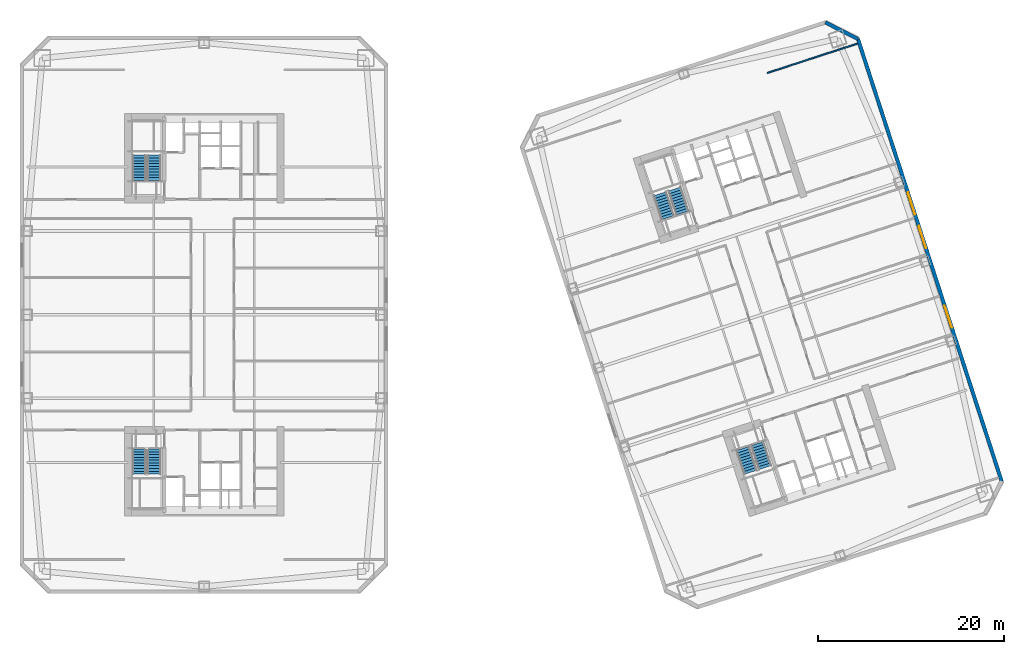
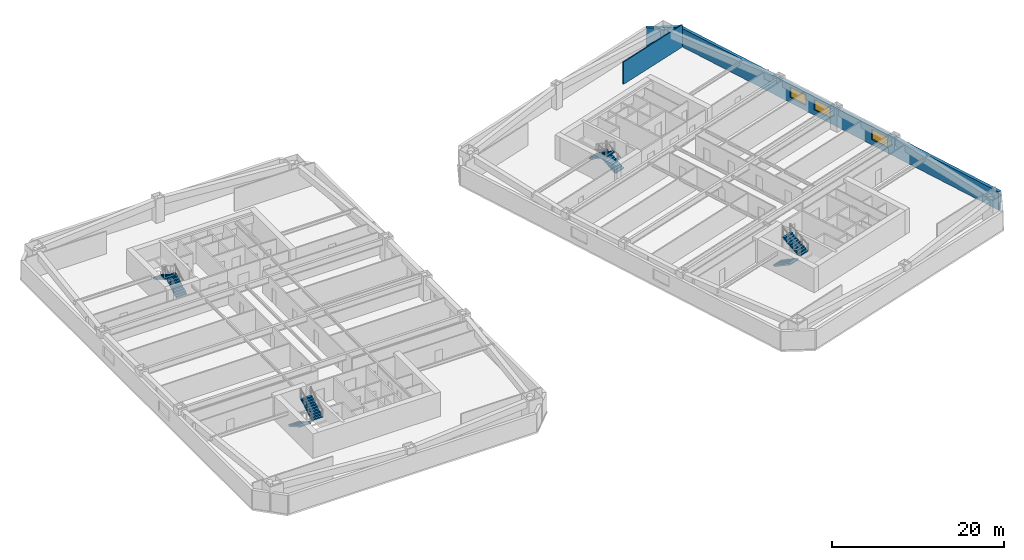
# One storey, part 9 of 11: 8 stair flights, 3 walls, 3 windows, 3 openings, 4 elements without a shape of their own.
"""IFC4 building model written with IfcOpenShell, lengths in metres."""

import ifcopenshell
import ifcopenshell.guid

model = None  # the IFC model being written
_history = None  # IfcOwnerHistory: only IFC2X3 demands one
_inside = {}  # id of a spatial element -> (the spatial element, [elements in it])
_under = {}  # id of a project, library or spatial element -> (it, [spatial elements below it])
_declared = {}  # id of a project -> (the project, [libraries it declares])
_typed = {}  # id of a type object -> (the type object, [elements of that type])
_made_of = {}  # id of a material, layer set ... -> (it, [elements and type objects made of it])


def new_model(schema):
    """Start an empty IFC model of exactly this schema.

    Asked for "IFC4X3", IfcOpenShell would pick the latest addendum, in which some entities
    have other attributes; the version numbers below select the first issue.
    IFC2X3 requires an IfcOwnerHistory on every rooted entity: one is made here for all.
    """
    global model, _history
    if schema == "IFC4X3":
        model = ifcopenshell.file(schema_version=(4, 3, 0, 0))
    else:
        model = ifcopenshell.file(schema=schema)
    _inside.clear()
    _under.clear()
    _declared.clear()
    _typed.clear()
    _made_of.clear()
    _history = None
    if model.schema == "IFC2X3":
        org = make("IfcOrganization", Name="unknown")
        user = make(
            "IfcPersonAndOrganization",
            ThePerson=make("IfcPerson", FamilyName="unknown"),
            TheOrganization=org,
        )
        app = make(
            "IfcApplication",
            ApplicationDeveloper=org,
            Version="unknown",
            ApplicationFullName="unknown",
            ApplicationIdentifier="unknown",
        )
        _history = make(
            "IfcOwnerHistory",
            OwningUser=user,
            OwningApplication=app,
            ChangeAction="ADDED",
            CreationDate=0,
        )
    return model


def make(cls, **values):
    """One entity of the class cls with the attributes given. An attribute that is None is left unset."""
    return model.create_entity(
        cls, **{name: value for name, value in values.items() if value is not None}
    )


def rooted(cls, **values):
    """An entity with a GlobalId (a new one), such as an element, a storey or a relation."""
    return make(cls, GlobalId=ifcopenshell.guid.new(), OwnerHistory=_history, **values)


def si_unit(unit_type, name, prefix=None):
    """IfcSIUnit, for example si_unit("LENGTHUNIT", "METRE", prefix="MILLI")."""
    return make("IfcSIUnit", UnitType=unit_type, Prefix=prefix, Name=name)


def assignment(units):
    """IfcUnitAssignment: the units of a project."""
    return None if units is None else make("IfcUnitAssignment", Units=units)


def point(xyz):
    """IfcCartesianPoint."""
    return None if xyz is None else make("IfcCartesianPoint", Coordinates=xyz)


def direction(xyz):
    """IfcDirection."""
    return None if xyz is None else make("IfcDirection", DirectionRatios=xyz)


def frame(location, z_axis=None, x_axis=None):
    """IfcAxis2Placement3D, a coordinate frame: its origin and axes. An axis left out is left unset."""
    return make(
        "IfcAxis2Placement3D",
        Location=point(location),
        Axis=direction(z_axis),
        RefDirection=direction(x_axis),
    )


def frame_2d(location, x_axis=None):
    """IfcAxis2Placement2D, a coordinate frame in the plane: its origin and x axis."""
    return make(
        "IfcAxis2Placement2D", Location=point(location), RefDirection=direction(x_axis)
    )


def origin():
    """The frame at (0, 0, 0) with its axes left unset."""
    return frame((0.0, 0.0, 0.0))


def place(relative_to, where):
    """IfcLocalPlacement: puts the frame where relative to a parent placement (None: the world)."""
    return make(
        "IfcLocalPlacement", PlacementRelTo=relative_to, RelativePlacement=where
    )


def context(
    kind, dimensions, precision=None, world=None, true_north=None, identifier=None
):
    """IfcGeometricRepresentationContext, for example the 3D "Model" context."""
    return make(
        "IfcGeometricRepresentationContext",
        ContextIdentifier=identifier,
        ContextType=kind,
        CoordinateSpaceDimension=dimensions,
        Precision=precision,
        WorldCoordinateSystem=world,
        TrueNorth=true_north,
    )


def subcontext(parent, identifier, kind, view, scale=None):
    """IfcGeometricRepresentationSubContext, for example "Body" below "Model"."""
    return make(
        "IfcGeometricRepresentationSubContext",
        ContextIdentifier=identifier,
        ContextType=kind,
        ParentContext=parent,
        TargetScale=scale,
        TargetView=view,
    )


def project(units=None, contexts=None):
    """IfcProject with its units and contexts."""
    return rooted(
        "IfcProject",
        Name="project",
        RepresentationContexts=contexts,
        UnitsInContext=assignment(units),
    )


def spatial(cls, under=None, at=None, **own):
    """A site, building, storey or space (cls), placed at a placement, below another one or the project."""
    s = rooted(cls, ObjectPlacement=at, **own)
    if under is not None:
        _under.setdefault(under.id(), (under, []))[1].append(s)
    return s


def polyline(points):
    """IfcPolyline through the points."""
    return make("IfcPolyline", Points=[point(p) for p in points])


def profile(cls, at=None, kind="AREA", **sizes):
    """A parametric profile (cls). Its sizes go by their IFC names, for example OverallWidth=200.0."""
    return make(cls, ProfileType=kind, Position=at, **sizes)


def rectangle(**sizes):
    """IfcRectangleProfileDef."""
    return profile("IfcRectangleProfileDef", **sizes)


def outline(outer, holes=None, kind="AREA"):
    """IfcArbitraryClosedProfileDef: a profile drawn as a closed curve; with holes, ...WithVoids."""
    if holes is None:
        return make("IfcArbitraryClosedProfileDef", ProfileType=kind, OuterCurve=outer)
    return make(
        "IfcArbitraryProfileDefWithVoids",
        ProfileType=kind,
        OuterCurve=outer,
        InnerCurves=holes,
    )


def extrude(swept, where, along, depth):
    """IfcExtrudedAreaSolid: the profile swept, set in the frame where, extruded along a direction by depth."""
    return make(
        "IfcExtrudedAreaSolid",
        SweptArea=swept,
        Position=where,
        ExtrudedDirection=direction(along),
        Depth=depth,
    )


def shape(context_of_items, identifier, shape_type, items):
    """IfcShapeRepresentation: the items that make up one representation, for example the "Body"."""
    return make(
        "IfcShapeRepresentation",
        ContextOfItems=context_of_items,
        RepresentationIdentifier=identifier,
        RepresentationType=shape_type,
        Items=items,
    )


def material(Name=None, Category=None):
    """IfcMaterial."""
    return make("IfcMaterial", Name=Name, Category=Category)


def layer(
    of_material, thickness, ventilated=None, Name=None, Category=None, Priority=None
):
    """IfcMaterialLayer: one layer of a wall or slab, of a material (None: an air gap)."""
    return make(
        "IfcMaterialLayer",
        Material=of_material,
        LayerThickness=thickness,
        IsVentilated=ventilated,
        Name=Name,
        Category=Category,
        Priority=Priority,
    )


def layer_set(layers, Name=None):
    """IfcMaterialLayerSet."""
    return make("IfcMaterialLayerSet", MaterialLayers=layers, LayerSetName=Name)


def made_of(thing, what):
    """Note that an element or type object is made of a material, layer set ...; save() writes the relation."""
    if what is not None:
        _made_of.setdefault(what.id(), (what, []))[1].append(thing)
    return thing


def type_object(cls, material=None, **own):
    """A type object (cls), such as IfcWallType, which elements share."""
    return made_of(rooted(cls, **own), material)


def element(
    cls,
    number,
    at=None,
    inside=None,
    cuts=None,
    type_object=None,
    material=None,
    context=None,
    identifier="Body",
    shape_type=None,
    held_by="IfcProductDefinitionShape",
    body=None,
    shapes=None,
    **own,
):
    """One element of the class cls, such as IfcWall. Its Tag is "e" and its number.

    at: its placement. inside: the storey or other place that contains it. cuts: it is an
    opening in that element (IfcRelVoidsElement). A single representation is given by context,
    identifier, shape_type and body (its items); several are given by shapes. held_by: the class
    of the entity that holds the representations. save() writes the other relations.
    """
    e = rooted(cls, Tag="e%d" % number, ObjectPlacement=at, **own)
    if body is not None:
        shapes = [shape(context, identifier, shape_type, body)]
    if shapes is not None:
        e.Representation = make(held_by, Representations=shapes)
    if inside is not None:
        _inside.setdefault(inside.id(), (inside, []))[1].append(e)
    if cuts is not None:
        rooted(
            "IfcRelVoidsElement", RelatingBuildingElement=cuts, RelatedOpeningElement=e
        )
    if type_object is not None:
        _typed.setdefault(type_object.id(), (type_object, []))[1].append(e)
    return made_of(e, material)


def fill(opening, filler):
    """IfcRelFillsElement: the door or window that sits in an opening."""
    return rooted(
        "IfcRelFillsElement",
        RelatingOpeningElement=opening,
        RelatedBuildingElement=filler,
    )


def aggregate(whole, parts):
    """IfcRelAggregates: a whole, such as a stair, and the parts it consists of."""
    return rooted("IfcRelAggregates", RelatingObject=whole, RelatedObjects=parts)


def save(model, path):
    """Write the relations noted so far, then the file.

    IfcRelAggregates (storeys below a building ...), IfcRelContainedInSpatialStructure (elements
    in a storey), IfcRelDefinesByType, IfcRelAssociatesMaterial and IfcRelDeclares: one each for
    every whole, place, type object, material and project.
    """
    for whole, parts in _under.values():
        aggregate(whole, parts)
    for where, things in _inside.values():
        rooted(
            "IfcRelContainedInSpatialStructure",
            RelatedElements=things,
            RelatingStructure=where,
        )
    for kind, things in _typed.values():
        rooted("IfcRelDefinesByType", RelatedObjects=things, RelatingType=kind)
    for what, things in _made_of.values():
        rooted("IfcRelAssociatesMaterial", RelatedObjects=things, RelatingMaterial=what)
    for by, libraries in _declared.values():
        rooted("IfcRelDeclares", RelatingContext=by, RelatedDefinitions=libraries)
    model.write(path)


model = new_model("IFC4")

# Units and contexts
model_context = context("Model", 3, precision=1e-05, world=origin(), true_north=direction((0.0, 1.0)))
body_context = subcontext(model_context, "Body", "Model", "MODEL_VIEW")
ifc_project = project(units=[si_unit("LENGTHUNIT", "METRE"), si_unit("AREAUNIT", "SQUARE_METRE"), si_unit("VOLUMEUNIT", "CUBIC_METRE"), si_unit("PLANEANGLEUNIT", "RADIAN"), si_unit("MASSUNIT", "GRAM", prefix="KILO")], contexts=[model_context])

# Site, building, storey
site_placement = place(None, origin())
site = spatial("IfcSite", under=ifc_project, at=site_placement, CompositionType="ELEMENT")
building_placement = place(site_placement, origin())
building = spatial("IfcBuilding", under=site, at=building_placement, Name="Qiaolan Cultural Towers", CompositionType="ELEMENT")
storey_placement = place(building_placement, frame((0.0, 0.0, 64.39990234375)))
storey = spatial("IfcBuildingStorey", under=building, at=storey_placement, Name="L15", CompositionType="ELEMENT", Elevation=64.39990234375)

# Wall
ifc_material_1 = material(Name="Precast Concrete C50 Honed Stone Pier", Category="masonry")
ifc_layer_1 = layer(ifc_material_1, 0.39990234375)
ifc_layer_set_1 = layer_set([ifc_layer_1], Name="Precast Concrete C50 Honed Stone Pier")
wall_type_1 = type_object("IfcWallType", Name="WL-EXT-PIER-400", PredefinedType="SOLIDWALL", material=ifc_layer_set_1)
wall_1_placement = place(storey_placement, frame((96.81640625, 65.445556640625, 0.0), z_axis=(0.0, 0.0, 1.0), x_axis=(0.890998089617, -0.454007053137, 0.0)))
element("IfcWall", 1, at=wall_1_placement, inside=storey, type_object=wall_type_1, Name="L15 East Tower Precast Pier Facade Wall F4", PredefinedType="SOLIDWALL", context=body_context, shape_type="SweptSolid", body=[
    extrude(rectangle(XDim=3.9599609375, YDim=0.39990234375, at=frame_2d((1.97998046875, 0.0))), origin(), (0.0, 0.0, 1.0), 2.610107421875),
])

# Wall, openings, windows
wall_2_placement = place(storey_placement, frame((100.3447265625, 63.647705078125, 0.0), z_axis=(0.0, 0.0, 1.0), x_axis=(0.309014526607, -0.951057318118, 0.0)))
wall_2 = element("IfcWall", 2, at=wall_2_placement, inside=storey, type_object=wall_type_1, Name="L15 East Tower Precast Pier Facade Wall F5", PredefinedType="SOLIDWALL", context=body_context, shape_type="SweptSolid", body=[
    extrude(rectangle(XDim=49.999755859375, YDim=0.39990234375, at=frame_2d((25.0, 0.0))), origin(), (0.0, 0.0, 1.0), 2.610107421875),
])
opening_1_placement = place(wall_2_placement, frame((30.14990234375, 0.0, 0.75)))
opening_1 = element("IfcOpeningElement", 3, at=opening_1_placement, cuts=wall_2, Name="Opening W-01", PredefinedType="OPENING", context=body_context, shape_type="SweptSolid", body=[
    extrude(rectangle(XDim=2.5, YDim=1.4599609375, at=frame_2d((1.25, 0.72998046875))), frame((0.0, 0.2099609375, 0.0), z_axis=(0.0, -1.0, 0.0), x_axis=(1.0, 0.0, 0.0)), (0.0, 0.0, 1.0), 0.419921875),
])
opening_2_placement = place(wall_2_placement, frame((21.14990234375, 0.0, 0.75)))
opening_2 = element("IfcOpeningElement", 4, at=opening_2_placement, cuts=wall_2, Name="Opening W-01", PredefinedType="OPENING", context=body_context, shape_type="SweptSolid", body=[
    extrude(rectangle(XDim=2.5, YDim=1.4599609375, at=frame_2d((1.25, 0.72998046875))), frame((0.0, 0.2099609375, 0.0), z_axis=(0.0, -1.0, 0.0), x_axis=(1.0, 0.0, 0.0)), (0.0, 0.0, 1.0), 0.419921875),
])
opening_3_placement = place(wall_2_placement, frame((17.35009765625, 0.0, 0.75)))
opening_3 = element("IfcOpeningElement", 5, at=opening_3_placement, cuts=wall_2, Name="Opening W-01", PredefinedType="OPENING", context=body_context, shape_type="SweptSolid", body=[
    extrude(rectangle(XDim=2.5, YDim=1.4599609375, at=frame_2d((1.25, 0.72998046875))), frame((0.0, 0.2099609375, 0.0), z_axis=(0.0, -1.0, 0.0), x_axis=(1.0, 0.0, 0.0)), (0.0, 0.0, 1.0), 0.419921875),
])
ifc_material_2 = material(Name="Thermally Broken Aluminium Triple Low-E Glazing", Category="aluminium")
window_type = type_object("IfcWindowType", Name="WN-CHIC-2500", PartitioningType="SINGLE_PANEL", PredefinedType="WINDOW", material=ifc_material_2)
window_1_placement = place(opening_1_placement, origin())
window_1 = element("IfcWindow", 6, at=window_1_placement, inside=storey, type_object=window_type, Name="L15 T2 E Chicago Bay Window 1", OverallHeight=1.4599609375, OverallWidth=2.5, PartitioningType="TRIPLE_PANEL_VERTICAL", PredefinedType="WINDOW", context=body_context, shape_type="SweptSolid", body=[
    extrude(rectangle(XDim=2.5, YDim=1.4599609375, at=frame_2d((1.25, 0.72998046875))), frame((0.0, 0.030029296875, 0.0), z_axis=(0.0, -1.0, 0.0), x_axis=(1.0, 0.0, 0.0)), (0.0, 0.0, 1.0), 0.06005859375),
])
fill(opening_1, window_1)
window_2_placement = place(opening_2_placement, origin())
window_2 = element("IfcWindow", 7, at=window_2_placement, inside=storey, type_object=window_type, Name="L15 T2 E Chicago Bay Window 2", OverallHeight=1.4599609375, OverallWidth=2.5, PartitioningType="TRIPLE_PANEL_VERTICAL", PredefinedType="WINDOW", context=body_context, shape_type="SweptSolid", body=[
    extrude(rectangle(XDim=2.5, YDim=1.4599609375, at=frame_2d((1.25, 0.72998046875))), frame((0.0, 0.030029296875, 0.0), z_axis=(0.0, -1.0, 0.0), x_axis=(1.0, 0.0, 0.0)), (0.0, 0.0, 1.0), 0.06005859375),
])
fill(opening_2, window_2)
window_3_placement = place(opening_3_placement, origin())
window_3 = element("IfcWindow", 8, at=window_3_placement, inside=storey, type_object=window_type, Name="L15 T2 E Chicago Bay Window 3", OverallHeight=1.4599609375, OverallWidth=2.5, PartitioningType="TRIPLE_PANEL_VERTICAL", PredefinedType="WINDOW", context=body_context, shape_type="SweptSolid", body=[
    extrude(rectangle(XDim=2.5, YDim=1.4599609375, at=frame_2d((1.25, 0.72998046875))), frame((0.0, 0.030029296875, 0.0), z_axis=(0.0, -1.0, 0.0), x_axis=(1.0, 0.0, 0.0)), (0.0, 0.0, 1.0), 0.06005859375),
])
fill(opening_3, window_3)

# Wall
ifc_material_3 = material(Name="Autoclaved Aerated Concrete Block B06", Category="concrete")
ifc_layer_2 = layer(ifc_material_3, 0.14990234375)
ifc_layer_set_2 = layer_set([ifc_layer_2], Name="Autoclaved Aerated Concrete Block B06")
wall_type_2 = type_object("IfcWallType", Name="WL-PART-150", PredefinedType="PARTITIONING", material=ifc_layer_set_2)
wall_3_placement = place(storey_placement, frame((90.5927734375, 60.006103515625, 0.0), z_axis=(0.0, 0.0, 1.0), x_axis=(0.951059043131, 0.309009217467, 0.0)))
element("IfcWall", 9, at=wall_3_placement, inside=storey, type_object=wall_type_2, Name="L15 T2 Flank Wall FLK-NE", PredefinedType="PARTITIONING", context=body_context, shape_type="SweptSolid", body=[
    extrude(rectangle(XDim=10.199951171875, YDim=0.14990234375, at=frame_2d((5.10009765625, 0.0))), origin(), (0.0, 0.0, 1.0), 3.175048828125),
])

# Stair, stair flights
ifc_material_4 = material(Name="Concrete C45", Category="concrete")
stair_type = type_object("IfcStairType", Name="STR-CORE-1500", PredefinedType="HALF_TURN_STAIR", material=ifc_material_4)
stair_1_placement = place(storey_placement, origin())
stair_1 = element("IfcStair", 10, at=stair_1_placement, inside=storey, type_object=stair_type, Name="L15 Smokeproof Exit Stair ST-W1", PredefinedType="HALF_TURN_STAIR")
ifc_material_5 = material(Name="Concrete C45", Category="concrete")
stair_flight_type = type_object("IfcStairFlightType", Name="STR-CORE-1500-FL", PredefinedType="STRAIGHT", material=ifc_material_5)
stair_flight_1_placement = place(storey_placement, frame((23.02001953125, 19.550048828125, 0.0), z_axis=(0.0, 0.0, 1.0), x_axis=(0.0, -1.0, 0.0)))
stair_flight_1 = element("IfcStairFlight", 11, at=stair_flight_1_placement, type_object=stair_flight_type, Name="ST-W1 flight 1", NumberOfRisers=10, NumberOfTreads=9, PredefinedType="STRAIGHT", RiserHeight=0.1725, TreadLength=0.3, context=body_context, shape_type="SweptSolid", body=[
    extrude(outline(polyline([(0.0, 0.0), (0.0, 0.172607421875), (0.300048828125, 0.172607421875), (0.300048828125, 0.344970703125), (0.60009765625, 0.344970703125), (0.60009765625, 0.517578125), (0.89990234375, 0.517578125), (0.89990234375, 0.68994140625), (1.199951171875, 0.68994140625), (1.199951171875, 0.862548828125), (1.5, 0.862548828125), (1.5, 1.034912109375), (1.800048828125, 1.034912109375), (1.800048828125, 1.20751953125), (2.10009765625, 1.20751953125), (2.10009765625, 1.3798828125), (2.39990234375, 1.3798828125), (2.39990234375, 1.552490234375), (2.699951171875, 1.552490234375), (2.699951171875, 1.72509765625), (2.699951171875, 1.379638671875), (0.30078125, 0.0), (0.0, 0.0)])), frame((0.0, 0.719970703125, 0.0), z_axis=(0.0, -1.0, 0.0), x_axis=(1.0, 0.0, 0.0)), (0.0, 0.0, 1.0), 1.43994140625),
])
stair_flight_2_placement = place(storey_placement, frame((24.659912109375, 16.85009765625, 1.72509765625), z_axis=(0.0, 0.0, 1.0), x_axis=(0.0, 1.0, 0.0)))
stair_flight_2 = element("IfcStairFlight", 12, at=stair_flight_2_placement, type_object=stair_flight_type, Name="ST-W1 flight 2", NumberOfRisers=10, NumberOfTreads=9, PredefinedType="STRAIGHT", RiserHeight=0.1725, TreadLength=0.3, context=body_context, shape_type="SweptSolid", body=[
    extrude(outline(polyline([(0.0, 0.0), (0.0, 0.172607421875), (0.300048828125, 0.172607421875), (0.300048828125, 0.344970703125), (0.60009765625, 0.344970703125), (0.60009765625, 0.517578125), (0.89990234375, 0.517578125), (0.89990234375, 0.68994140625), (1.199951171875, 0.68994140625), (1.199951171875, 0.862548828125), (1.5, 0.862548828125), (1.5, 1.034912109375), (1.800048828125, 1.034912109375), (1.800048828125, 1.20751953125), (2.10009765625, 1.20751953125), (2.10009765625, 1.3798828125), (2.39990234375, 1.3798828125), (2.39990234375, 1.552490234375), (2.699951171875, 1.552490234375), (2.699951171875, 1.72509765625), (2.699951171875, 1.379638671875), (0.30078125, 0.0), (0.0, 0.0)])), frame((0.0, 0.719970703125, 0.0), z_axis=(0.0, -1.0, 0.0), x_axis=(1.0, 0.0, 0.0)), (0.0, 0.0, 1.0), 1.43994140625),
])
aggregate(stair_1, [stair_flight_1, stair_flight_2])

stair_2_placement = place(storey_placement, origin())
stair_2 = element("IfcStair", 13, at=stair_2_placement, inside=storey, type_object=stair_type, Name="L15 Smokeproof Exit Stair ST-W2", PredefinedType="HALF_TURN_STAIR")
stair_flight_3_placement = place(storey_placement, frame((24.659912109375, 48.449951171875, 0.0), z_axis=(0.0, 0.0, 1.0), x_axis=(0.0, 1.0, 0.0)))
stair_flight_3 = element("IfcStairFlight", 14, at=stair_flight_3_placement, type_object=stair_flight_type, Name="ST-W2 flight 1", NumberOfRisers=10, NumberOfTreads=9, PredefinedType="STRAIGHT", RiserHeight=0.1725, TreadLength=0.3, context=body_context, shape_type="SweptSolid", body=[
    extrude(outline(polyline([(0.0, 0.0), (0.0, 0.172607421875), (0.300048828125, 0.172607421875), (0.300048828125, 0.344970703125), (0.60009765625, 0.344970703125), (0.60009765625, 0.517578125), (0.89990234375, 0.517578125), (0.89990234375, 0.68994140625), (1.199951171875, 0.68994140625), (1.199951171875, 0.862548828125), (1.5, 0.862548828125), (1.5, 1.034912109375), (1.800048828125, 1.034912109375), (1.800048828125, 1.20751953125), (2.10009765625, 1.20751953125), (2.10009765625, 1.3798828125), (2.39990234375, 1.3798828125), (2.39990234375, 1.552490234375), (2.699951171875, 1.552490234375), (2.699951171875, 1.72509765625), (2.699951171875, 1.379638671875), (0.30078125, 0.0), (0.0, 0.0)])), frame((0.0, 0.719970703125, 0.0), z_axis=(0.0, -1.0, 0.0), x_axis=(1.0, 0.0, 0.0)), (0.0, 0.0, 1.0), 1.43994140625),
])
stair_flight_4_placement = place(storey_placement, frame((23.02001953125, 51.14990234375, 1.72509765625), z_axis=(0.0, 0.0, 1.0), x_axis=(0.0, -1.0, 0.0)))
stair_flight_4 = element("IfcStairFlight", 15, at=stair_flight_4_placement, type_object=stair_flight_type, Name="ST-W2 flight 2", NumberOfRisers=10, NumberOfTreads=9, PredefinedType="STRAIGHT", RiserHeight=0.1725, TreadLength=0.3, context=body_context, shape_type="SweptSolid", body=[
    extrude(outline(polyline([(0.0, 0.0), (0.0, 0.172607421875), (0.300048828125, 0.172607421875), (0.300048828125, 0.344970703125), (0.60009765625, 0.344970703125), (0.60009765625, 0.517578125), (0.89990234375, 0.517578125), (0.89990234375, 0.68994140625), (1.199951171875, 0.68994140625), (1.199951171875, 0.862548828125), (1.5, 0.862548828125), (1.5, 1.034912109375), (1.800048828125, 1.034912109375), (1.800048828125, 1.20751953125), (2.10009765625, 1.20751953125), (2.10009765625, 1.3798828125), (2.39990234375, 1.3798828125), (2.39990234375, 1.552490234375), (2.699951171875, 1.552490234375), (2.699951171875, 1.72509765625), (2.699951171875, 1.379638671875), (0.30078125, 0.0), (0.0, 0.0)])), frame((0.0, 0.719970703125, 0.0), z_axis=(0.0, -1.0, 0.0), x_axis=(1.0, 0.0, 0.0)), (0.0, 0.0, 1.0), 1.43994140625),
])
aggregate(stair_2, [stair_flight_3, stair_flight_4])

stair_3_placement = place(storey_placement, origin())
stair_3 = element("IfcStair", 16, at=stair_3_placement, inside=storey, type_object=stair_type, Name="L15 Smokeproof Exit Stair ST-E1", PredefinedType="HALF_TURN_STAIR")
stair_flight_5_placement = place(storey_placement, frame((87.96484375, 19.6171875, 0.0), z_axis=(0.0, 0.0, 1.0), x_axis=(0.309016994375, -0.951056516295, 0.0)))
stair_flight_5 = element("IfcStairFlight", 17, at=stair_flight_5_placement, type_object=stair_flight_type, Name="ST-E1 flight 1", NumberOfRisers=10, NumberOfTreads=9, PredefinedType="STRAIGHT", RiserHeight=0.1725, TreadLength=0.3, context=body_context, shape_type="SweptSolid", body=[
    extrude(outline(polyline([(0.0, 0.0), (0.0, 0.172607421875), (0.300048828125, 0.172607421875), (0.300048828125, 0.344970703125), (0.60009765625, 0.344970703125), (0.60009765625, 0.517578125), (0.89990234375, 0.517578125), (0.89990234375, 0.68994140625), (1.199951171875, 0.68994140625), (1.199951171875, 0.862548828125), (1.5, 0.862548828125), (1.5, 1.034912109375), (1.800048828125, 1.034912109375), (1.800048828125, 1.20751953125), (2.10009765625, 1.20751953125), (2.10009765625, 1.3798828125), (2.39990234375, 1.3798828125), (2.39990234375, 1.552490234375), (2.699951171875, 1.552490234375), (2.699951171875, 1.72509765625), (2.699951171875, 1.379638671875), (0.30078125, 0.0), (0.0, 0.0)])), frame((0.0, 0.719970703125, 0.0), z_axis=(0.0, -1.0, 0.0), x_axis=(1.0, 0.0, 0.0)), (0.0, 0.0, 1.0), 1.43994140625),
])
stair_flight_6_placement = place(storey_placement, frame((90.359130859375, 17.55615234375, 1.72509765625), z_axis=(0.0, 0.0, 1.0), x_axis=(-0.309016994375, 0.951056516295, 0.0)))
stair_flight_6 = element("IfcStairFlight", 18, at=stair_flight_6_placement, type_object=stair_flight_type, Name="ST-E1 flight 2", NumberOfRisers=10, NumberOfTreads=9, PredefinedType="STRAIGHT", RiserHeight=0.1725, TreadLength=0.3, context=body_context, shape_type="SweptSolid", body=[
    extrude(outline(polyline([(0.0, 0.0), (0.0, 0.172607421875), (0.300048828125, 0.172607421875), (0.300048828125, 0.344970703125), (0.60009765625, 0.344970703125), (0.60009765625, 0.517578125), (0.89990234375, 0.517578125), (0.89990234375, 0.68994140625), (1.199951171875, 0.68994140625), (1.199951171875, 0.862548828125), (1.5, 0.862548828125), (1.5, 1.034912109375), (1.800048828125, 1.034912109375), (1.800048828125, 1.20751953125), (2.10009765625, 1.20751953125), (2.10009765625, 1.3798828125), (2.39990234375, 1.3798828125), (2.39990234375, 1.552490234375), (2.699951171875, 1.552490234375), (2.699951171875, 1.72509765625), (2.699951171875, 1.379638671875), (0.30078125, 0.0), (0.0, 0.0)])), frame((0.0, 0.719970703125, 0.0), z_axis=(0.0, -1.0, 0.0), x_axis=(1.0, 0.0, 0.0)), (0.0, 0.0, 1.0), 1.43994140625),
])
aggregate(stair_3, [stair_flight_5, stair_flight_6])

stair_4_placement = place(storey_placement, origin())
stair_4 = element("IfcStair", 19, at=stair_4_placement, inside=storey, type_object=stair_type, Name="L15 Smokeproof Exit Stair ST-E2", PredefinedType="HALF_TURN_STAIR")
stair_flight_7_placement = place(storey_placement, frame((81.459228515625, 44.946533203125, 0.0), z_axis=(0.0, 0.0, 1.0), x_axis=(-0.309016994375, 0.951056516295, 0.0)))
stair_flight_7 = element("IfcStairFlight", 20, at=stair_flight_7_placement, type_object=stair_flight_type, Name="ST-E2 flight 1", NumberOfRisers=10, NumberOfTreads=9, PredefinedType="STRAIGHT", RiserHeight=0.1725, TreadLength=0.3, context=body_context, shape_type="SweptSolid", body=[
    extrude(outline(polyline([(0.0, 0.0), (0.0, 0.172607421875), (0.300048828125, 0.172607421875), (0.300048828125, 0.344970703125), (0.60009765625, 0.344970703125), (0.60009765625, 0.517578125), (0.89990234375, 0.517578125), (0.89990234375, 0.68994140625), (1.199951171875, 0.68994140625), (1.199951171875, 0.862548828125), (1.5, 0.862548828125), (1.5, 1.034912109375), (1.800048828125, 1.034912109375), (1.800048828125, 1.20751953125), (2.10009765625, 1.20751953125), (2.10009765625, 1.3798828125), (2.39990234375, 1.3798828125), (2.39990234375, 1.552490234375), (2.699951171875, 1.552490234375), (2.699951171875, 1.72509765625), (2.699951171875, 1.379638671875), (0.30078125, 0.0), (0.0, 0.0)])), frame((0.0, 0.719970703125, 0.0), z_axis=(0.0, -1.0, 0.0), x_axis=(1.0, 0.0, 0.0)), (0.0, 0.0, 1.0), 1.43994140625),
])
stair_flight_8_placement = place(storey_placement, frame((79.065185546875, 47.007568359375, 1.72509765625), z_axis=(0.0, 0.0, 1.0), x_axis=(0.309016994375, -0.951056516295, 0.0)))
stair_flight_8 = element("IfcStairFlight", 21, at=stair_flight_8_placement, type_object=stair_flight_type, Name="ST-E2 flight 2", NumberOfRisers=10, NumberOfTreads=9, PredefinedType="STRAIGHT", RiserHeight=0.1725, TreadLength=0.3, context=body_context, shape_type="SweptSolid", body=[
    extrude(outline(polyline([(0.0, 0.0), (0.0, 0.172607421875), (0.300048828125, 0.172607421875), (0.300048828125, 0.344970703125), (0.60009765625, 0.344970703125), (0.60009765625, 0.517578125), (0.89990234375, 0.517578125), (0.89990234375, 0.68994140625), (1.199951171875, 0.68994140625), (1.199951171875, 0.862548828125), (1.5, 0.862548828125), (1.5, 1.034912109375), (1.800048828125, 1.034912109375), (1.800048828125, 1.20751953125), (2.10009765625, 1.20751953125), (2.10009765625, 1.3798828125), (2.39990234375, 1.3798828125), (2.39990234375, 1.552490234375), (2.699951171875, 1.552490234375), (2.699951171875, 1.72509765625), (2.699951171875, 1.379638671875), (0.30078125, 0.0), (0.0, 0.0)])), frame((0.0, 0.719970703125, 0.0), z_axis=(0.0, -1.0, 0.0), x_axis=(1.0, 0.0, 0.0)), (0.0, 0.0, 1.0), 1.43994140625),
])
aggregate(stair_4, [stair_flight_7, stair_flight_8])

save(model, "model.ifc")
